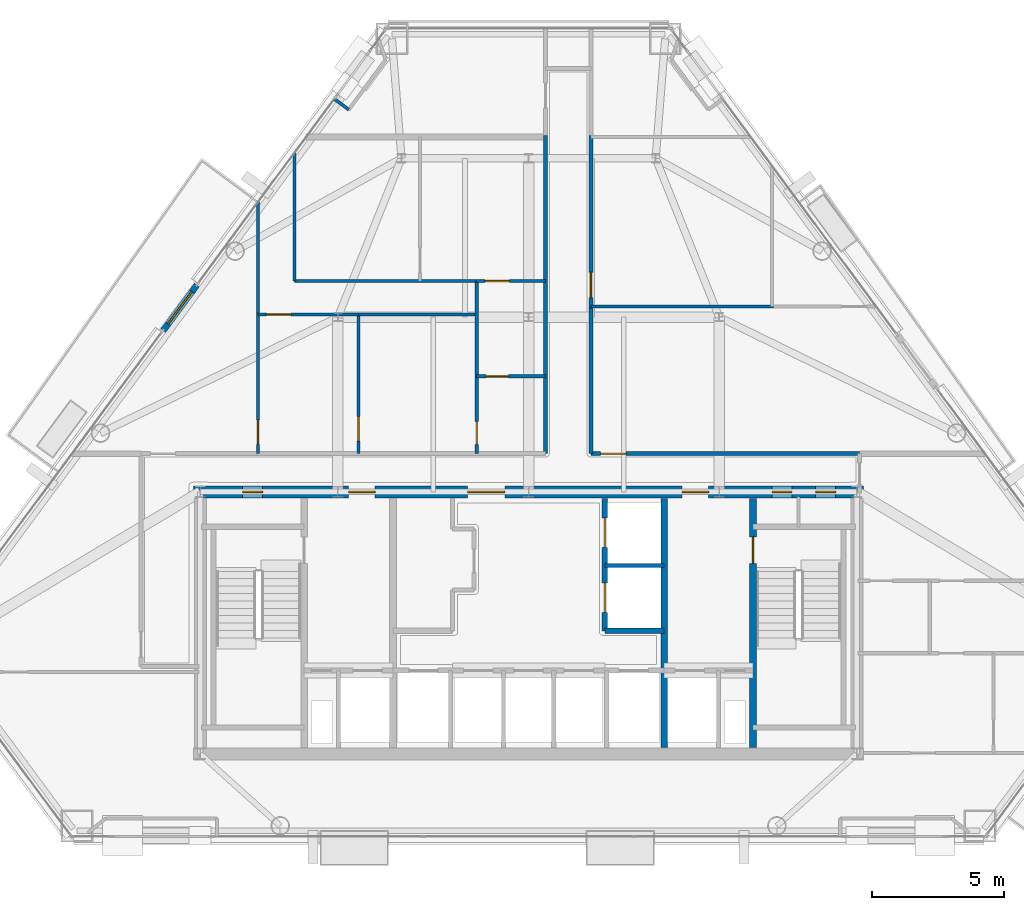
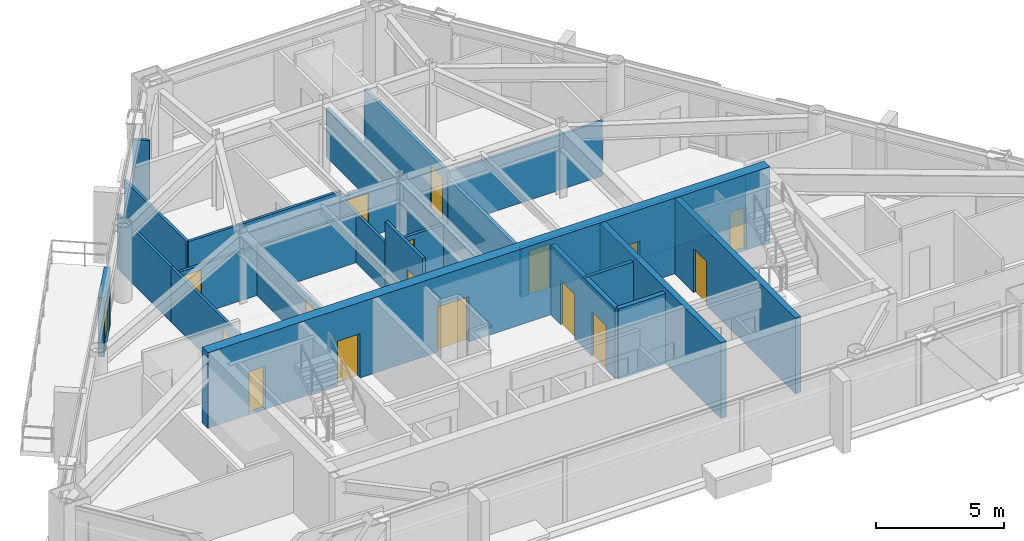
# One storey, part 9 of 13: 24 walls, 18 doors, 18 openings.
"""IFC4 building model written with IfcOpenShell, lengths in metres."""

from ifc_helpers import new_model, si_unit, direction, frame, frame_2d, origin, place, context, subcontext, project, spatial, rectangle, extrude, material, layer, layer_set, type_object, element, fill, save


model = new_model("IFC4")

# Units and contexts
model_context = context("Model", 3, precision=1e-05, world=origin(), true_north=direction((0.0, 1.0)))
body_context = subcontext(model_context, "Body", "Model", "MODEL_VIEW")
ifc_project = project(units=[si_unit("LENGTHUNIT", "METRE"), si_unit("AREAUNIT", "SQUARE_METRE"), si_unit("VOLUMEUNIT", "CUBIC_METRE"), si_unit("PLANEANGLEUNIT", "RADIAN"), si_unit("MASSUNIT", "GRAM", prefix="KILO")], contexts=[model_context])

# Site, building, storey
site_placement = place(None, origin())
site = spatial("IfcSite", under=ifc_project, at=site_placement, CompositionType="ELEMENT")
building_placement = place(site_placement, origin())
building = spatial("IfcBuilding", under=site, at=building_placement, Name="Talgorran Terracotta Tower", CompositionType="ELEMENT")
storey_placement = place(building_placement, frame((0.0, 0.0, 132.89990234375)))
storey = spatial("IfcBuildingStorey", under=building, at=storey_placement, Name="L34", CompositionType="ELEMENT", Elevation=132.89990234375)

# Wall, opening, door
ifc_material_1 = material(Name="Concrete C40/50", Category="concrete")
ifc_layer_1 = layer(ifc_material_1, 0.239990234375, Name="WT_BALCONY_SPAND")
ifc_layer_set_1 = layer_set([ifc_layer_1], Name="Concrete C40/50")
wall_type_1 = type_object("IfcWallType", Name="WT_BALCONY_SPAND", PredefinedType="STANDARD", material=ifc_layer_set_1)
wall_1_placement = place(storey_placement, frame((-12.5322265625, 3.613525390625, -0.014892578125), z_axis=(0.0, 0.0, 1.0), x_axis=(-0.594381437757, -0.804183254271, 0.0)))
wall_1 = element("IfcWall", 1, at=wall_1_placement, inside=storey, type_object=wall_type_1, Name="WL-L34-BALP-BAL-NW", PredefinedType="STANDARD", context=body_context, shape_type="SweptSolid", body=[
    extrude(rectangle(XDim=2.139892578125, YDim=0.239990234375, at=frame_2d((1.06982421875, 0.0))), origin(), (0.0, 0.0, 1.0), 2.806884765625),
])
opening_1_placement = place(wall_1_placement, frame((0.320068359375, 0.0, 0.014892578125)))
opening_1 = element("IfcOpeningElement", 2, at=opening_1_placement, cuts=wall_1, Name="Opening D-BAL-L34-2", PredefinedType="OPENING", context=body_context, shape_type="SweptSolid", body=[
    extrude(rectangle(XDim=1.506, YDim=2.203951171875, at=frame_2d((0.75, 1.10205078125))), frame((0.0, 0.1298828125, 0.0), z_axis=(0.0, -1.0, 0.0), x_axis=(1.0, 0.0, 0.0)), (0.0, 0.0, 1.0), 0.260009765625),
])
ifc_material_2 = material(Name="Thermally Broken Aluminium", Category="aluminium")
door_type_1 = type_object("IfcDoorType", Name="DT_BALC_1500", OperationType="SLIDING_TO_RIGHT", PredefinedType="DOOR", material=ifc_material_2)
door_1_placement = place(opening_1_placement, origin())
door_1 = element("IfcDoor", 3, at=door_1_placement, inside=storey, type_object=door_type_1, Name="DR-L34-BAL-BAL-NW", OperationType="SLIDING_TO_RIGHT", OverallHeight=2.199951171875, OverallWidth=1.5, PredefinedType="DOOR", context=body_context, shape_type="SweptSolid", body=[
    extrude(rectangle(XDim=1.5, YDim=2.199951171875, at=frame_2d((0.75, 1.10009765625))), frame((0.0, 0.02490234375, 0.0), z_axis=(0.0, -1.0, 0.0), x_axis=(1.0, 0.0, 0.0)), (0.0, 0.0, 1.0), 0.050048828125),
])
fill(opening_1, door_1)

# Wall, openings, doors
ifc_material_3 = material(Name="Concrete C50/60", Category="concrete")
ifc_layer_2 = layer(ifc_material_3, 0.199951171875, Name="WT_CORE_200")
ifc_layer_set_2 = layer_set([ifc_layer_2], Name="Concrete C50/60")
wall_type_2 = type_object("IfcWallType", Name="WT_CORE_200", PredefinedType="SOLIDWALL", material=ifc_layer_set_2)
wall_2_placement = place(storey_placement, frame((2.8798828125, -9.449951171875, 0.0), z_axis=(0.0, 0.0, 1.0), x_axis=(0.0, 1.0, 0.0)))
wall_2 = element("IfcWall", 4, at=wall_2_placement, inside=storey, type_object=wall_type_2, Name="WL-L34-CW-V-E3", PredefinedType="SOLIDWALL", context=body_context, shape_type="SweptSolid", body=[
    extrude(rectangle(XDim=5.0, YDim=0.199951171875, at=frame_2d((2.5, 0.0))), origin(), (0.0, 0.0, 1.0), 3.35009765625),
])
opening_2_placement = place(wall_2_placement, frame((0.699951171875, 0.0, 0.0)))
opening_2 = element("IfcOpeningElement", 5, at=opening_2_placement, cuts=wall_2, Name="Opening LD-PLM1", PredefinedType="OPENING", context=body_context, shape_type="SweptSolid", body=[
    extrude(rectangle(XDim=1.10609765625, YDim=2.10409765625, at=frame_2d((0.550048828125, 1.052001953125))), frame((0.0, 0.10986328125, 0.0), z_axis=(0.0, -1.0, 0.0), x_axis=(1.0, 0.0, 0.0)), (0.0, 0.0, 1.0), 0.219970703125),
])
opening_3_placement = place(wall_2_placement, frame((3.14990234375, 0.0, 0.0)))
opening_3 = element("IfcOpeningElement", 6, at=opening_3_placement, cuts=wall_2, Name="Opening LD-PLM2", PredefinedType="OPENING", context=body_context, shape_type="SweptSolid", body=[
    extrude(rectangle(XDim=1.10609765625, YDim=2.10409765625, at=frame_2d((0.550048828125, 1.052001953125))), frame((0.0, 0.10986328125, 0.0), z_axis=(0.0, -1.0, 0.0), x_axis=(1.0, 0.0, 0.0)), (0.0, 0.0, 1.0), 0.219970703125),
])
ifc_material_4 = material(Name="Brushed Stainless Steel Grade 304", Category="steel")
door_type_2 = type_object("IfcDoorType", Name="DT_LIFT_LD1100", OperationType="DOUBLE_DOOR_SLIDING", PredefinedType="DOOR", material=ifc_material_4)
door_2_placement = place(opening_2_placement, origin())
door_2 = element("IfcDoor", 7, at=door_2_placement, inside=storey, type_object=door_type_2, Name="L34 Lift Landing Door LD-PLM1", OperationType="DOUBLE_DOOR_SLIDING", OverallHeight=2.10009765625, OverallWidth=1.10009765625, PredefinedType="DOOR", context=body_context, shape_type="SweptSolid", body=[
    extrude(rectangle(XDim=1.10009765625, YDim=2.10009765625, at=frame_2d((0.550048828125, 1.050048828125))), frame((0.0, 0.02490234375, 0.0), z_axis=(0.0, -1.0, 0.0), x_axis=(1.0, 0.0, 0.0)), (0.0, 0.0, 1.0), 0.050048828125),
])
fill(opening_2, door_2)
door_3_placement = place(opening_3_placement, origin())
door_3 = element("IfcDoor", 8, at=door_3_placement, inside=storey, type_object=door_type_2, Name="L34 Lift Landing Door LD-PLM2", OperationType="DOUBLE_DOOR_SLIDING", OverallHeight=2.10009765625, OverallWidth=1.10009765625, PredefinedType="DOOR", context=body_context, shape_type="SweptSolid", body=[
    extrude(rectangle(XDim=1.10009765625, YDim=2.10009765625, at=frame_2d((0.550048828125, 1.050048828125))), frame((0.0, 0.02490234375, 0.0), z_axis=(0.0, -1.0, 0.0), x_axis=(1.0, 0.0, 0.0)), (0.0, 0.0, 1.0), 0.050048828125),
])
fill(opening_3, door_3)

# Wall
wall_3_placement = place(storey_placement, frame((2.8798828125, -9.449951171875, 0.0), z_axis=(0.0, 0.0, 1.0), x_axis=(1.0, 0.0, 0.0)))
element("IfcWall", 9, at=wall_3_placement, inside=storey, type_object=wall_type_2, Name="WL-L34-CW-H-E4", PredefinedType="SOLIDWALL", context=body_context, shape_type="SweptSolid", body=[
    extrude(rectangle(XDim=2.240234375, YDim=0.199951171875, at=frame_2d((1.1201171875, 0.0))), origin(), (0.0, 0.0, 1.0), 3.35009765625),
])

# Wall, opening, door
ifc_layer_3 = layer(ifc_material_3, 0.25, Name="WT_CORE_250")
ifc_layer_set_3 = layer_set([ifc_layer_3], Name="Concrete C50/60")
wall_type_3 = type_object("IfcWallType", Name="WT_CORE_250", PredefinedType="SHEAR", material=ifc_layer_set_3)
wall_4_placement = place(storey_placement, frame((8.47998046875, -13.85009765625, 0.0), z_axis=(0.0, 0.0, 1.0), x_axis=(0.0, 1.0, 0.0)))
wall_4 = element("IfcWall", 10, at=wall_4_placement, inside=storey, type_object=wall_type_3, Name="WL-L34-CW-V-E1", PredefinedType="SHEAR", context=body_context, shape_type="SweptSolid", body=[
    extrude(rectangle(XDim=9.400146484375, YDim=0.25, at=frame_2d((4.7001953125, 0.0))), origin(), (0.0, 0.0, 1.0), 3.60009765625),
])
opening_4_placement = place(wall_4_placement, frame((6.949951171875, 0.0, 0.0)))
opening_4 = element("IfcOpeningElement", 11, at=opening_4_placement, cuts=wall_4, Name="Opening DR-ST02", PredefinedType="OPENING", context=body_context, shape_type="SweptSolid", body=[
    extrude(rectangle(XDim=1.006, YDim=2.10409765625, at=frame_2d((0.5, 1.052001953125))), frame((0.0, 0.135009765625, 0.0), z_axis=(0.0, -1.0, 0.0), x_axis=(1.0, 0.0, 0.0)), (0.0, 0.0, 1.0), 0.27001953125),
])
ifc_material_5 = material(Name="Fire-Rated Pressed Steel", Category="steel")
door_type_3 = type_object("IfcDoorType", Name="DT_FIRE_1000", OperationType="NOTDEFINED", PredefinedType="DOOR", material=ifc_material_5)
door_4_placement = place(opening_4_placement, origin())
door_4 = element("IfcDoor", 12, at=door_4_placement, inside=storey, type_object=door_type_3, Name="DR-ST02", OperationType="SINGLE_SWING_RIGHT", OverallHeight=2.10009765625, OverallWidth=1.0, PredefinedType="DOOR", context=body_context, shape_type="SweptSolid", body=[
    extrude(rectangle(XDim=1.0, YDim=2.10009765625, at=frame_2d((0.5, 1.050048828125))), frame((0.0, 0.02490234375, 0.0), z_axis=(0.0, -1.0, 0.0), x_axis=(1.0, 0.0, 0.0)), (0.0, 0.0, 1.0), 0.050048828125),
])
fill(opening_4, door_4)

# Wall
wall_5_placement = place(storey_placement, frame((5.1201171875, -13.85009765625, 0.0), z_axis=(0.0, 0.0, 1.0), x_axis=(0.0, 1.0, 0.0)))
element("IfcWall", 13, at=wall_5_placement, inside=storey, type_object=wall_type_3, Name="WL-L34-CW-V-E2", PredefinedType="SHEAR", context=body_context, shape_type="SweptSolid", body=[
    extrude(rectangle(XDim=9.400146484375, YDim=0.25, at=frame_2d((4.7001953125, 0.0))), origin(), (0.0, 0.0, 1.0), 3.60009765625),
])

# Wall, openings, doors
ifc_material_6 = material(Name="Concrete C65/80", Category="concrete")
ifc_layer_4 = layer(ifc_material_6, 0.449951171875, Name="WT_CORE_EXT")
ifc_layer_set_4 = layer_set([ifc_layer_4], Name="Concrete C65/80")
wall_type_4 = type_object("IfcWallType", Name="WT_CORE_EXT", PredefinedType="SHEAR", material=ifc_layer_set_4)
wall_6_placement = place(storey_placement, frame((-12.64990234375, -4.199951171875, 0.0), z_axis=(0.0, 0.0, 1.0), x_axis=(1.0, 0.0, 0.0)))
wall_6 = element("IfcWall", 14, at=wall_6_placement, inside=storey, type_object=wall_type_4, Name="WL-L34-CW-OUT-N", PredefinedType="SHEAR", context=body_context, shape_type="SweptSolid", body=[
    extrude(rectangle(XDim=25.2998046875, YDim=0.449951171875, at=frame_2d((12.64990234375, 0.0))), origin(), (0.0, 0.0, 1.0), 3.60009765625),
])
opening_5_placement = place(wall_6_placement, frame((1.85009765625, 0.0, 0.0)))
opening_5 = element("IfcOpeningElement", 15, at=opening_5_placement, cuts=wall_6, Name="Opening DR-CSN1", PredefinedType="OPENING", context=body_context, shape_type="SweptSolid", body=[
    extrude(rectangle(XDim=0.756, YDim=2.054048828125, at=frame_2d((0.375, 1.027099609375))), frame((0.0, 0.23486328125, 0.0), z_axis=(0.0, -1.0, 0.0), x_axis=(1.0, 0.0, 0.0)), (0.0, 0.0, 1.0), 0.469970703125),
])
opening_6_placement = place(wall_6_placement, frame((21.85009765625, 0.0, 0.0)))
opening_6 = element("IfcOpeningElement", 16, at=opening_6_placement, cuts=wall_6, Name="Opening DR-CSN2", PredefinedType="OPENING", context=body_context, shape_type="SweptSolid", body=[
    extrude(rectangle(XDim=0.756, YDim=2.054048828125, at=frame_2d((0.375, 1.027099609375))), frame((0.0, 0.23486328125, 0.0), z_axis=(0.0, -1.0, 0.0), x_axis=(1.0, 0.0, 0.0)), (0.0, 0.0, 1.0), 0.469970703125),
])
opening_7_placement = place(wall_6_placement, frame((23.5, 0.0, 0.0)))
opening_7 = element("IfcOpeningElement", 17, at=opening_7_placement, cuts=wall_6, Name="Opening DR-CSN3", PredefinedType="OPENING", context=body_context, shape_type="SweptSolid", body=[
    extrude(rectangle(XDim=0.756, YDim=2.054048828125, at=frame_2d((0.375, 1.027099609375))), frame((0.0, 0.23486328125, 0.0), z_axis=(0.0, -1.0, 0.0), x_axis=(1.0, 0.0, 0.0)), (0.0, 0.0, 1.0), 0.469970703125),
])
opening_8_placement = place(wall_6_placement, frame((5.85009765625, 0.0, 0.0)))
opening_8 = element("IfcOpeningElement", 18, at=opening_8_placement, cuts=wall_6, Name="Opening DR-FFLW-N", PredefinedType="OPENING", context=body_context, shape_type="SweptSolid", body=[
    extrude(rectangle(XDim=1.006, YDim=2.10409765625, at=frame_2d((0.5, 1.052001953125))), frame((0.0, 0.23486328125, 0.0), z_axis=(0.0, -1.0, 0.0), x_axis=(1.0, 0.0, 0.0)), (0.0, 0.0, 1.0), 0.469970703125),
])
opening_9_placement = place(wall_6_placement, frame((10.35009765625, 0.0, 0.0)))
opening_9 = element("IfcOpeningElement", 19, at=opening_9_placement, cuts=wall_6, Name="Opening DR-PLL-N", PredefinedType="OPENING", context=body_context, shape_type="SweptSolid", body=[
    extrude(rectangle(XDim=1.40590234375, YDim=2.15390234375, at=frame_2d((0.699951171875, 1.076904296875))), frame((0.0, 0.23486328125, 0.0), z_axis=(0.0, -1.0, 0.0), x_axis=(1.0, 0.0, 0.0)), (0.0, 0.0, 1.0), 0.469970703125),
])
opening_10_placement = place(wall_6_placement, frame((18.449951171875, 0.0, 0.0)))
opening_10 = element("IfcOpeningElement", 20, at=opening_10_placement, cuts=wall_6, Name="Opening DR-FFLE-N", PredefinedType="OPENING", context=body_context, shape_type="SweptSolid", body=[
    extrude(rectangle(XDim=1.006, YDim=2.10409765625, at=frame_2d((0.5, 1.052001953125))), frame((0.0, 0.23486328125, 0.0), z_axis=(0.0, -1.0, 0.0), x_axis=(1.0, 0.0, 0.0)), (0.0, 0.0, 1.0), 0.469970703125),
])
ifc_material_7 = material(Name="Acoustic Glazed Timber", Category="wood")
door_type_4 = type_object("IfcDoorType", Name="DT_DOUBLE_1400", OperationType="DOUBLE_DOOR_SINGLE_SWING", PredefinedType="DOOR", material=ifc_material_7)
door_5_placement = place(opening_9_placement, origin())
door_5 = element("IfcDoor", 21, at=door_5_placement, inside=storey, type_object=door_type_4, Name="DR-PLL-N", OperationType="DOUBLE_DOOR_SINGLE_SWING", OverallHeight=2.14990234375, OverallWidth=1.39990234375, PredefinedType="DOOR", context=body_context, shape_type="SweptSolid", body=[
    extrude(rectangle(XDim=1.39990234375, YDim=2.14990234375, at=frame_2d((0.699951171875, 1.074951171875))), frame((0.0, 0.02490234375, 0.0), z_axis=(0.0, -1.0, 0.0), x_axis=(1.0, 0.0, 0.0)), (0.0, 0.0, 1.0), 0.050048828125),
])
fill(opening_9, door_5)
door_6_placement = place(opening_8_placement, origin())
door_6 = element("IfcDoor", 22, at=door_6_placement, inside=storey, type_object=door_type_3, Name="DR-FFLW-N", OperationType="SINGLE_SWING_LEFT", OverallHeight=2.10009765625, OverallWidth=1.0, PredefinedType="DOOR", context=body_context, shape_type="SweptSolid", body=[
    extrude(rectangle(XDim=1.0, YDim=2.10009765625, at=frame_2d((0.5, 1.050048828125))), frame((0.0, 0.02490234375, 0.0), z_axis=(0.0, -1.0, 0.0), x_axis=(1.0, 0.0, 0.0)), (0.0, 0.0, 1.0), 0.050048828125),
])
fill(opening_8, door_6)
door_7_placement = place(opening_10_placement, origin())
door_7 = element("IfcDoor", 23, at=door_7_placement, inside=storey, type_object=door_type_3, Name="DR-FFLE-N", OperationType="SINGLE_SWING_RIGHT", OverallHeight=2.10009765625, OverallWidth=1.0, PredefinedType="DOOR", context=body_context, shape_type="SweptSolid", body=[
    extrude(rectangle(XDim=1.0, YDim=2.10009765625, at=frame_2d((0.5, 1.050048828125))), frame((0.0, 0.02490234375, 0.0), z_axis=(0.0, -1.0, 0.0), x_axis=(1.0, 0.0, 0.0)), (0.0, 0.0, 1.0), 0.050048828125),
])
fill(opening_10, door_7)
door_type_5 = type_object("IfcDoorType", Name="DT_RISER_750", OperationType="NOTDEFINED", PredefinedType="DOOR", material=ifc_material_5)
door_8_placement = place(opening_5_placement, origin())
door_8 = element("IfcDoor", 24, at=door_8_placement, inside=storey, type_object=door_type_5, Name="DR-CSN1", OperationType="SINGLE_SWING_LEFT", OverallHeight=2.050048828125, OverallWidth=0.75, PredefinedType="DOOR", context=body_context, shape_type="SweptSolid", body=[
    extrude(rectangle(XDim=0.75, YDim=2.050048828125, at=frame_2d((0.375, 1.02490234375))), frame((0.0, 0.02490234375, 0.0), z_axis=(0.0, -1.0, 0.0), x_axis=(1.0, 0.0, 0.0)), (0.0, 0.0, 1.0), 0.050048828125),
])
fill(opening_5, door_8)
door_9_placement = place(opening_6_placement, origin())
door_9 = element("IfcDoor", 25, at=door_9_placement, inside=storey, type_object=door_type_5, Name="DR-CSN2", OperationType="SINGLE_SWING_LEFT", OverallHeight=2.050048828125, OverallWidth=0.75, PredefinedType="DOOR", context=body_context, shape_type="SweptSolid", body=[
    extrude(rectangle(XDim=0.75, YDim=2.050048828125, at=frame_2d((0.375, 1.02490234375))), frame((0.0, 0.02490234375, 0.0), z_axis=(0.0, -1.0, 0.0), x_axis=(1.0, 0.0, 0.0)), (0.0, 0.0, 1.0), 0.050048828125),
])
fill(opening_6, door_9)
door_10_placement = place(opening_7_placement, origin())
door_10 = element("IfcDoor", 26, at=door_10_placement, inside=storey, type_object=door_type_5, Name="DR-CSN3", OperationType="SINGLE_SWING_RIGHT", OverallHeight=2.050048828125, OverallWidth=0.75, PredefinedType="DOOR", context=body_context, shape_type="SweptSolid", body=[
    extrude(rectangle(XDim=0.75, YDim=2.050048828125, at=frame_2d((0.375, 1.02490234375))), frame((0.0, 0.02490234375, 0.0), z_axis=(0.0, -1.0, 0.0), x_axis=(1.0, 0.0, 0.0)), (0.0, 0.0, 1.0), 0.050048828125),
])
fill(opening_7, door_10)

# Wall, opening, door
ifc_material_8 = material(Name="Fire-Rated Steel Stud Plasterboard", Category="steel")
ifc_layer_5 = layer(ifc_material_8, 0.14990234375, Name="WT_FIRE_150")
ifc_layer_set_5 = layer_set([ifc_layer_5], Name="Fire-Rated Steel Stud Plasterboard")
wall_type_5 = type_object("IfcWallType", Name="WT_FIRE_150", PredefinedType="PARTITIONING", material=ifc_layer_set_5)
wall_7_placement = place(storey_placement, frame((2.360107421875, -2.760009765625, 0.0), z_axis=(0.0, 0.0, 1.0), x_axis=(1.0, 0.0, 0.0)))
wall_7 = element("IfcWall", 27, at=wall_7_placement, inside=storey, type_object=wall_type_5, Name="WL-L34-W-L34-R12", PredefinedType="PARTITIONING", context=body_context, shape_type="SweptSolid", body=[
    extrude(rectangle(XDim=10.139892578125, YDim=0.14990234375, at=frame_2d((5.06982421875, 0.0))), origin(), (0.0, 0.0, 1.0), 2.3251953125),
])
opening_11_placement = place(wall_7_placement, frame((0.359619140625, 0.0, 0.0)))
opening_11 = element("IfcOpeningElement", 28, at=opening_11_placement, cuts=wall_7, Name="Opening DR-L34-R15", PredefinedType="OPENING", context=body_context, shape_type="SweptSolid", body=[
    extrude(rectangle(XDim=0.955951171875, YDim=2.10409765625, at=frame_2d((0.47509765625, 1.052001953125))), frame((0.0, 0.0849609375, 0.0), z_axis=(0.0, -1.0, 0.0), x_axis=(1.0, 0.0, 0.0)), (0.0, 0.0, 1.0), 0.169921875),
])
ifc_material_9 = material(Name="Fire-Rated Timber Core", Category="wood")
door_type_6 = type_object("IfcDoorType", Name="DT_FIRE_950", OperationType="NOTDEFINED", PredefinedType="DOOR", material=ifc_material_9)
door_11_placement = place(opening_11_placement, origin())
door_11 = element("IfcDoor", 29, at=door_11_placement, inside=storey, type_object=door_type_6, Name="DR-L34-R15", OperationType="SINGLE_SWING_LEFT", OverallHeight=2.10009765625, OverallWidth=0.949951171875, PredefinedType="DOOR", context=body_context, shape_type="SweptSolid", body=[
    extrude(rectangle(XDim=0.949951171875, YDim=2.10009765625, at=frame_2d((0.47509765625, 1.050048828125))), frame((0.0, 0.02490234375, 0.0), z_axis=(0.0, -1.0, 0.0), x_axis=(1.0, 0.0, 0.0)), (0.0, 0.0, 1.0), 0.050048828125),
])
fill(opening_11, door_11)

wall_8_placement = place(storey_placement, frame((2.360107421875, 2.739990234375, 0.0), z_axis=(0.0, 0.0, 1.0), x_axis=(0.0, 1.0, 0.0)))
wall_8 = element("IfcWall", 30, at=wall_8_placement, inside=storey, type_object=wall_type_5, Name="WL-L34-W-L34-R13", PredefinedType="PARTITIONING", context=body_context, shape_type="SweptSolid", body=[
    extrude(rectangle(XDim=6.52001953125, YDim=0.14990234375, at=frame_2d((3.260009765625, 0.0))), origin(), (0.0, 0.0, 1.0), 2.6171875),
])
opening_12_placement = place(wall_8_placement, frame((0.3984375, 0.0, 0.0)))
opening_12 = element("IfcOpeningElement", 31, at=opening_12_placement, cuts=wall_8, Name="Opening DR-L34-R16", PredefinedType="OPENING", context=body_context, shape_type="SweptSolid", body=[
    extrude(rectangle(XDim=0.955951171875, YDim=2.10409765625, at=frame_2d((0.47509765625, 1.052001953125))), frame((0.0, 0.0849609375, 0.0), z_axis=(0.0, -1.0, 0.0), x_axis=(1.0, 0.0, 0.0)), (0.0, 0.0, 1.0), 0.169921875),
])
door_12_placement = place(opening_12_placement, origin())
door_12 = element("IfcDoor", 32, at=door_12_placement, inside=storey, type_object=door_type_6, Name="DR-L34-R16", OperationType="SINGLE_SWING_RIGHT", OverallHeight=2.10009765625, OverallWidth=0.949951171875, PredefinedType="DOOR", context=body_context, shape_type="SweptSolid", body=[
    extrude(rectangle(XDim=0.949951171875, YDim=2.10009765625, at=frame_2d((0.47509765625, 1.050048828125))), frame((0.0, 0.02490234375, 0.0), z_axis=(0.0, -1.0, 0.0), x_axis=(1.0, 0.0, 0.0)), (0.0, 0.0, 1.0), 0.050048828125),
])
fill(opening_12, door_12)

# Walls
wall_9_placement = place(storey_placement, frame((2.360107421875, -2.760009765625, 0.0), z_axis=(0.0, 0.0, 1.0), x_axis=(0.0, 1.0, 0.0)))
element("IfcWall", 33, at=wall_9_placement, inside=storey, type_object=wall_type_5, Name="WL-L34-W-L34-R11", PredefinedType="PARTITIONING", context=body_context, shape_type="SweptSolid", body=[
    extrude(rectangle(XDim=5.498046875, YDim=0.14990234375, at=frame_2d((2.7490234375, 0.0))), origin(), (0.0, 0.0, 1.0), 2.3251953125),
])
wall_10_placement = place(storey_placement, frame((0.639892578125, -2.760009765625, 0.0), z_axis=(0.0, 0.0, 1.0), x_axis=(0.0, 1.0, 0.0)))
element("IfcWall", 34, at=wall_10_placement, inside=storey, type_object=wall_type_5, Name="WL-L34-W-L34-R10", PredefinedType="PARTITIONING", context=body_context, shape_type="SweptSolid", body=[
    extrude(rectangle(XDim=12.02001953125, YDim=0.14990234375, at=frame_2d((6.010009765625, 0.0))), origin(), (0.0, 0.0, 1.0), 2.3251953125),
])
ifc_material_10 = material(Name="Insulated Steel Stud Plasterboard", Category="steel")
ifc_layer_6 = layer(ifc_material_10, 0.1201171875, Name="WT_PART_120")
ifc_layer_set_6 = layer_set([ifc_layer_6], Name="Insulated Steel Stud Plasterboard")
wall_type_6 = type_object("IfcWallType", Name="WT_PART_120", PredefinedType="PARTITIONING", material=ifc_layer_set_6)
wall_11_placement = place(storey_placement, frame((2.360107421875, 2.800048828125, 0.0), z_axis=(0.0, 0.0, 1.0), x_axis=(1.0, 0.0, 0.0)))
element("IfcWall", 35, at=wall_11_placement, inside=storey, type_object=wall_type_6, Name="WL-L34-W-L34-R44", PredefinedType="PARTITIONING", context=body_context, shape_type="SweptSolid", body=[
    extrude(rectangle(XDim=6.89990234375, YDim=0.1201171875, at=frame_2d((3.449951171875, 0.0))), origin(), (0.0, 0.0, 1.0), 2.6171875),
])

# Wall, opening, door
wall_12_placement = place(storey_placement, frame((-10.219970703125, -2.760009765625, 0.0), z_axis=(0.0, 0.0, 1.0), x_axis=(0.0, 1.0, 0.0)))
wall_12 = element("IfcWall", 36, at=wall_12_placement, inside=storey, type_object=wall_type_6, Name="WL-L34-W-L34-R33", PredefinedType="PARTITIONING", context=body_context, shape_type="SweptSolid", body=[
    extrude(rectangle(XDim=5.320068359375, YDim=0.1201171875, at=frame_2d((2.66015625, 0.0))), origin(), (0.0, 0.0, 1.0), 2.6171875),
])
opening_13_placement = place(wall_12_placement, frame((0.357666015625, 0.0, 0.0)))
opening_13 = element("IfcOpeningElement", 37, at=opening_13_placement, cuts=wall_12, Name="Opening DR-L34-R11", PredefinedType="OPENING", context=body_context, shape_type="SweptSolid", body=[
    extrude(rectangle(XDim=0.925921875, YDim=2.10409765625, at=frame_2d((0.4599609375, 1.052001953125))), frame((0.0, 0.070068359375, 0.0), z_axis=(0.0, -1.0, 0.0), x_axis=(1.0, 0.0, 0.0)), (0.0, 0.0, 1.0), 0.14013671875),
])
ifc_material_11 = material(Name="Solid-Core Painted Timber", Category="wood")
door_type_7 = type_object("IfcDoorType", Name="DT_INT_920", OperationType="NOTDEFINED", PredefinedType="DOOR", material=ifc_material_11)
door_13_placement = place(opening_13_placement, origin())
door_13 = element("IfcDoor", 38, at=door_13_placement, inside=storey, type_object=door_type_7, Name="DR-L34-R11", OperationType="SINGLE_SWING_LEFT", OverallHeight=2.10009765625, OverallWidth=0.919921875, PredefinedType="DOOR", context=body_context, shape_type="SweptSolid", body=[
    extrude(rectangle(XDim=0.919921875, YDim=2.10009765625, at=frame_2d((0.4599609375, 1.050048828125))), frame((0.0, 0.02490234375, 0.0), z_axis=(0.0, -1.0, 0.0), x_axis=(1.0, 0.0, 0.0)), (0.0, 0.0, 1.0), 0.050048828125),
])
fill(opening_13, door_13)

wall_13_placement = place(storey_placement, frame((-6.419921875, -2.760009765625, 0.0), z_axis=(0.0, 0.0, 1.0), x_axis=(0.0, 1.0, 0.0)))
wall_13 = element("IfcWall", 39, at=wall_13_placement, inside=storey, type_object=wall_type_6, Name="WL-L34-W-L34-R35", PredefinedType="PARTITIONING", context=body_context, shape_type="SweptSolid", body=[
    extrude(rectangle(XDim=5.260009765625, YDim=0.1201171875, at=frame_2d((2.6298828125, 0.0))), origin(), (0.0, 0.0, 1.0), 2.3251953125),
])
opening_14_placement = place(wall_13_placement, frame((0.478271484375, 0.0, 0.0)))
opening_14 = element("IfcOpeningElement", 40, at=opening_14_placement, cuts=wall_13, Name="Opening DR-L34-R12", PredefinedType="OPENING", context=body_context, shape_type="SweptSolid", body=[
    extrude(rectangle(XDim=0.925921875, YDim=2.10409765625, at=frame_2d((0.4599609375, 1.052001953125))), frame((0.0, 0.070068359375, 0.0), z_axis=(0.0, -1.0, 0.0), x_axis=(1.0, 0.0, 0.0)), (0.0, 0.0, 1.0), 0.14013671875),
])
door_14_placement = place(opening_14_placement, origin())
door_14 = element("IfcDoor", 41, at=door_14_placement, inside=storey, type_object=door_type_7, Name="DR-L34-R12", OperationType="SINGLE_SWING_RIGHT", OverallHeight=2.10009765625, OverallWidth=0.919921875, PredefinedType="DOOR", context=body_context, shape_type="SweptSolid", body=[
    extrude(rectangle(XDim=0.919921875, YDim=2.10009765625, at=frame_2d((0.4599609375, 1.050048828125))), frame((0.0, 0.02490234375, 0.0), z_axis=(0.0, -1.0, 0.0), x_axis=(1.0, 0.0, 0.0)), (0.0, 0.0, 1.0), 0.050048828125),
])
fill(opening_14, door_14)

# Walls
wall_14_placement = place(storey_placement, frame((-8.840087890625, 3.760009765625, 0.0), z_axis=(0.0, 0.0, 1.0), x_axis=(0.0, 1.0, 0.0)))
element("IfcWall", 42, at=wall_14_placement, inside=storey, type_object=wall_type_6, Name="WL-L34-W-L34-R38", PredefinedType="PARTITIONING", context=body_context, shape_type="SweptSolid", body=[
    extrude(rectangle(XDim=4.849365234375, YDim=0.1201171875, at=frame_2d((2.4248046875, 0.0))), origin(), (0.0, 0.0, 1.0), 2.6171875),
])
wall_15_placement = place(storey_placement, frame((-8.840087890625, 3.760009765625, 0.0), z_axis=(0.0, 0.0, 1.0), x_axis=(1.0, 0.0, 0.0)))
element("IfcWall", 43, at=wall_15_placement, inside=storey, type_object=wall_type_6, Name="WL-L34-W-L34-R39", PredefinedType="PARTITIONING", context=body_context, shape_type="SweptSolid", body=[
    extrude(rectangle(XDim=6.880126953125, YDim=0.1201171875, at=frame_2d((3.43994140625, 0.0))), origin(), (0.0, 0.0, 1.0), 2.6171875),
])
wall_16_placement = place(storey_placement, frame((-6.419921875, 2.5, 0.0), z_axis=(0.0, 0.0, 1.0), x_axis=(1.0, 0.0, 0.0)))
element("IfcWall", 44, at=wall_16_placement, inside=storey, type_object=wall_type_6, Name="WL-L34-W-L34-R37", PredefinedType="PARTITIONING", context=body_context, shape_type="SweptSolid", body=[
    extrude(rectangle(XDim=4.4599609375, YDim=0.1201171875, at=frame_2d((2.22998046875, 0.0))), origin(), (0.0, 0.0, 1.0), 2.3251953125),
])
wall_17_placement = place(storey_placement, frame((-10.219970703125, 2.56201171875, 0.0), z_axis=(0.0, 0.0, 1.0), x_axis=(0.0, 1.0, 0.0)))
element("IfcWall", 45, at=wall_17_placement, inside=storey, type_object=wall_type_6, Name="WL-L34-W-L34-R34", PredefinedType="PARTITIONING", context=body_context, shape_type="SweptSolid", body=[
    extrude(rectangle(XDim=4.18017578125, YDim=0.1201171875, at=frame_2d((2.090087890625, 0.0))), origin(), (0.0, 0.0, 1.0), 2.6171875),
])

# Wall, opening, door
wall_18_placement = place(storey_placement, frame((-10.219970703125, 2.5, 0.0), z_axis=(0.0, 0.0, 1.0), x_axis=(1.0, 0.0, 0.0)))
wall_18 = element("IfcWall", 46, at=wall_18_placement, inside=storey, type_object=wall_type_6, Name="WL-L34-W-L34-R36", PredefinedType="PARTITIONING", context=body_context, shape_type="SweptSolid", body=[
    extrude(rectangle(XDim=3.800048828125, YDim=0.1201171875, at=frame_2d((1.89990234375, 0.0))), origin(), (0.0, 0.0, 1.0), 2.3251953125),
])
opening_15_placement = place(wall_18_placement, frame((0.31689453125, 0.0, 0.0)))
opening_15 = element("IfcOpeningElement", 47, at=opening_15_placement, cuts=wall_18, Name="Opening DR-L34-R13", PredefinedType="OPENING", context=body_context, shape_type="SweptSolid", body=[
    extrude(rectangle(XDim=0.925921875, YDim=2.10409765625, at=frame_2d((0.4599609375, 1.052001953125))), frame((0.0, 0.070068359375, 0.0), z_axis=(0.0, -1.0, 0.0), x_axis=(1.0, 0.0, 0.0)), (0.0, 0.0, 1.0), 0.14013671875),
])
door_15_placement = place(opening_15_placement, origin())
door_15 = element("IfcDoor", 48, at=door_15_placement, inside=storey, type_object=door_type_7, Name="DR-L34-R13", OperationType="SINGLE_SWING_LEFT", OverallHeight=2.10009765625, OverallWidth=0.919921875, PredefinedType="DOOR", context=body_context, shape_type="SweptSolid", body=[
    extrude(rectangle(XDim=0.919921875, YDim=2.10009765625, at=frame_2d((0.4599609375, 1.050048828125))), frame((0.0, 0.02490234375, 0.0), z_axis=(0.0, -1.0, 0.0), x_axis=(1.0, 0.0, 0.0)), (0.0, 0.0, 1.0), 0.050048828125),
])
fill(opening_15, door_15)

wall_19_placement = place(storey_placement, frame((-1.9599609375, 3.760009765625, 0.0), z_axis=(0.0, 0.0, 1.0), x_axis=(1.0, 0.0, 0.0)))
wall_19 = element("IfcWall", 49, at=wall_19_placement, inside=storey, type_object=wall_type_6, Name="WL-L34-W-L34-R32", PredefinedType="PARTITIONING", context=body_context, shape_type="SweptSolid", body=[
    extrude(rectangle(XDim=2.599853515625, YDim=0.1201171875, at=frame_2d((1.2998046875, 0.0))), origin(), (0.0, 0.0, 1.0), 2.3251953125),
])
opening_16_placement = place(wall_19_placement, frame((0.314697265625, 0.0, 0.0)))
opening_16 = element("IfcOpeningElement", 50, at=opening_16_placement, cuts=wall_19, Name="Opening DR-L34-R09", PredefinedType="OPENING", context=body_context, shape_type="SweptSolid", body=[
    extrude(rectangle(XDim=0.925921875, YDim=2.10409765625, at=frame_2d((0.4599609375, 1.052001953125))), frame((0.0, 0.070068359375, 0.0), z_axis=(0.0, -1.0, 0.0), x_axis=(1.0, 0.0, 0.0)), (0.0, 0.0, 1.0), 0.14013671875),
])
door_16_placement = place(opening_16_placement, origin())
door_16 = element("IfcDoor", 51, at=door_16_placement, inside=storey, type_object=door_type_7, Name="DR-L34-R09", OperationType="SINGLE_SWING_LEFT", OverallHeight=2.10009765625, OverallWidth=0.919921875, PredefinedType="DOOR", context=body_context, shape_type="SweptSolid", body=[
    extrude(rectangle(XDim=0.919921875, YDim=2.10009765625, at=frame_2d((0.4599609375, 1.050048828125))), frame((0.0, 0.02490234375, 0.0), z_axis=(0.0, -1.0, 0.0), x_axis=(1.0, 0.0, 0.0)), (0.0, 0.0, 1.0), 0.050048828125),
])
fill(opening_16, door_16)

# Walls
wall_20_placement = place(storey_placement, frame((-1.9599609375, 0.159912109375, 0.0), z_axis=(0.0, 0.0, 1.0), x_axis=(0.0, 1.0, 0.0)))
element("IfcWall", 52, at=wall_20_placement, inside=storey, type_object=wall_type_6, Name="WL-L34-W-L34-R30", PredefinedType="PARTITIONING", context=body_context, shape_type="SweptSolid", body=[
    extrude(rectangle(XDim=3.60009765625, YDim=0.1201171875, at=frame_2d((1.800048828125, 0.0))), origin(), (0.0, 0.0, 1.0), 2.3251953125),
])
wall_21_placement = place(storey_placement, frame((-6.79150390625, 10.2373046875, 0.0), z_axis=(0.0, 0.0, 1.0), x_axis=(-0.804092805945, 0.59450379261, 0.0)))
element("IfcWall", 53, at=wall_21_placement, inside=storey, type_object=wall_type_6, Name="WL-L34-BW-L34-15", PredefinedType="PARTITIONING", context=body_context, shape_type="SweptSolid", body=[
    extrude(rectangle(XDim=0.669677734375, YDim=0.1201171875, at=frame_2d((0.3349609375, 0.0))), origin(), (0.0, 0.0, 1.0), 2.7919921875),
])

# Wall, opening, door
ifc_material_12 = material(Name="Moisture-Resistant Stud Wall")
ifc_layer_7 = layer(ifc_material_12, 0.135009765625, Name="WT_PART_135")
ifc_layer_set_7 = layer_set([ifc_layer_7], Name="Moisture-Resistant Stud Wall")
wall_type_7 = type_object("IfcWallType", Name="WT_PART_135", PredefinedType="PARTITIONING", material=ifc_layer_set_7)
wall_22_placement = place(storey_placement, frame((-1.9599609375, -2.760009765625, 0.0), z_axis=(0.0, 0.0, 1.0), x_axis=(0.0, 1.0, 0.0)))
wall_22 = element("IfcWall", 54, at=wall_22_placement, inside=storey, type_object=wall_type_7, Name="WL-L34-W-L34-R29", PredefinedType="PARTITIONING", context=body_context, shape_type="SweptSolid", body=[
    extrude(rectangle(XDim=2.919921875, YDim=0.135009765625, at=frame_2d((1.4599609375, 0.0))), origin(), (0.0, 0.0, 1.0), 3.35009765625),
])
opening_17_placement = place(wall_22_placement, frame((0.358642578125, 0.0, 0.0)))
opening_17 = element("IfcOpeningElement", 55, at=opening_17_placement, cuts=wall_22, Name="Opening DR-L34-R20", PredefinedType="OPENING", context=body_context, shape_type="SweptSolid", body=[
    extrude(rectangle(XDim=0.85609765625, YDim=2.10409765625, at=frame_2d((0.425048828125, 1.052001953125))), frame((0.0, 0.07763671875, 0.0), z_axis=(0.0, -1.0, 0.0), x_axis=(1.0, 0.0, 0.0)), (0.0, 0.0, 1.0), 0.155029296875),
])
ifc_material_13 = material(Name="Moisture-Resistant Solid Timber", Category="wood")
door_type_8 = type_object("IfcDoorType", Name="DT_INT_850", OperationType="NOTDEFINED", PredefinedType="DOOR", material=ifc_material_13)
door_17_placement = place(opening_17_placement, origin())
door_17 = element("IfcDoor", 56, at=door_17_placement, inside=storey, type_object=door_type_8, Name="DR-L34-R20", OperationType="SINGLE_SWING_RIGHT", OverallHeight=2.10009765625, OverallWidth=0.85009765625, PredefinedType="DOOR", context=body_context, shape_type="SweptSolid", body=[
    extrude(rectangle(XDim=0.85009765625, YDim=2.10009765625, at=frame_2d((0.425048828125, 1.050048828125))), frame((0.0, 0.02490234375, 0.0), z_axis=(0.0, -1.0, 0.0), x_axis=(1.0, 0.0, 0.0)), (0.0, 0.0, 1.0), 0.050048828125),
])
fill(opening_17, door_17)

wall_23_placement = place(storey_placement, frame((-1.9599609375, 0.159912109375, 0.0), z_axis=(0.0, 0.0, 1.0), x_axis=(1.0, 0.0, 0.0)))
wall_23 = element("IfcWall", 57, at=wall_23_placement, inside=storey, type_object=wall_type_7, Name="WL-L34-W-L34-R28", PredefinedType="PARTITIONING", context=body_context, shape_type="SweptSolid", body=[
    extrude(rectangle(XDim=2.599853515625, YDim=0.135009765625, at=frame_2d((1.2998046875, 0.0))), origin(), (0.0, 0.0, 1.0), 2.3251953125),
])
opening_18_placement = place(wall_23_placement, frame((0.3583984375, 0.0, 0.0)))
opening_18 = element("IfcOpeningElement", 58, at=opening_18_placement, cuts=wall_23, Name="Opening DR-L34-R08", PredefinedType="OPENING", context=body_context, shape_type="SweptSolid", body=[
    extrude(rectangle(XDim=0.85609765625, YDim=2.10409765625, at=frame_2d((0.425048828125, 1.052001953125))), frame((0.0, 0.07763671875, 0.0), z_axis=(0.0, -1.0, 0.0), x_axis=(1.0, 0.0, 0.0)), (0.0, 0.0, 1.0), 0.155029296875),
])
door_18_placement = place(opening_18_placement, origin())
door_18 = element("IfcDoor", 59, at=door_18_placement, inside=storey, type_object=door_type_8, Name="DR-L34-R08", OperationType="SINGLE_SWING_RIGHT", OverallHeight=2.10009765625, OverallWidth=0.85009765625, PredefinedType="DOOR", context=body_context, shape_type="SweptSolid", body=[
    extrude(rectangle(XDim=0.85009765625, YDim=2.10009765625, at=frame_2d((0.425048828125, 1.050048828125))), frame((0.0, 0.02490234375, 0.0), z_axis=(0.0, -1.0, 0.0), x_axis=(1.0, 0.0, 0.0)), (0.0, 0.0, 1.0), 0.050048828125),
])
fill(opening_18, door_18)

# Wall
ifc_material_14 = material(Name="Fire-Rated Shaftwall")
ifc_layer_8 = layer(ifc_material_14, 0.159912109375, Name="WT_PART_150")
ifc_layer_set_8 = layer_set([ifc_layer_8], Name="Fire-Rated Shaftwall")
wall_type_8 = type_object("IfcWallType", Name="WT_PART_150", PredefinedType="PARTITIONING", material=ifc_layer_set_8)
wall_24_placement = place(storey_placement, frame((2.8798828125, -6.97998046875, 0.0), z_axis=(0.0, 0.0, 1.0), x_axis=(1.0, 0.0, 0.0)))
element("IfcWall", 60, at=wall_24_placement, inside=storey, type_object=wall_type_8, Name="WL-L34-CW-PLM-DIV", PredefinedType="PARTITIONING", context=body_context, shape_type="SweptSolid", body=[
    extrude(rectangle(XDim=2.240234375, YDim=0.159912109375, at=frame_2d((1.1201171875, 0.0))), origin(), (0.0, 0.0, 1.0), 3.35009765625),
])

save(model, "model.ifc")
